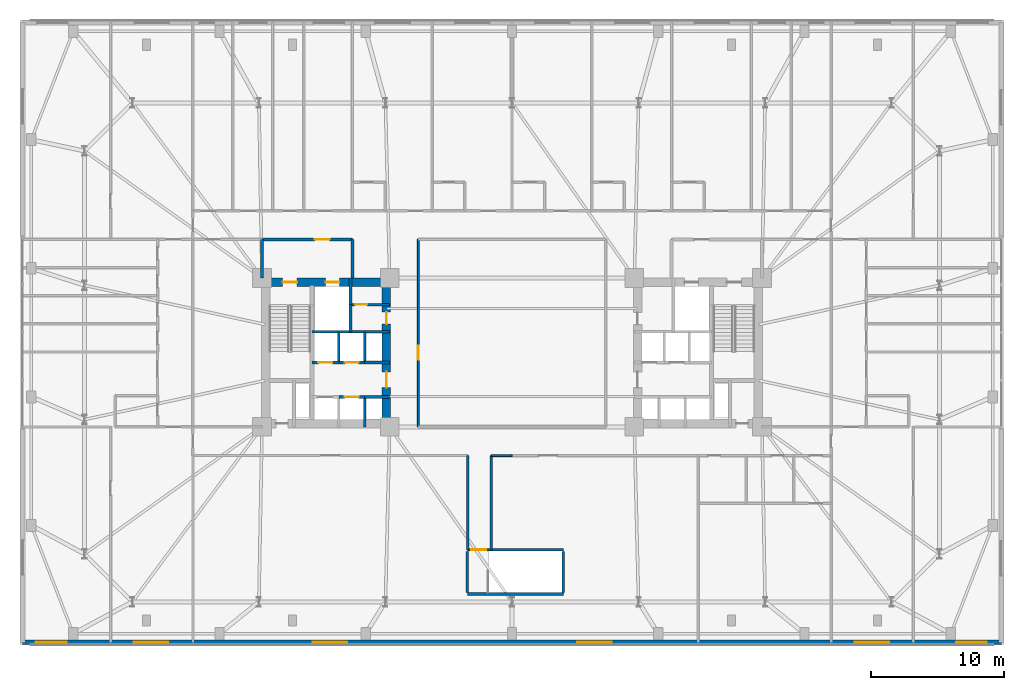
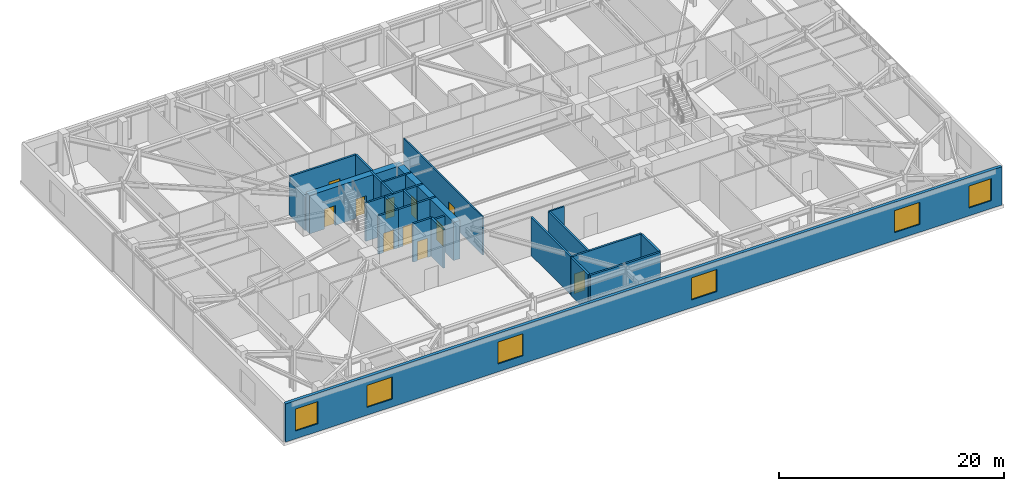
# One storey, part 12 of 21: 26 walls, 11 doors, 6 windows, 17 openings.
"""IFC4 building model written with IfcOpenShell, lengths in metres."""

from ifc_helpers import new_model, si_unit, direction, frame, frame_2d, origin, place, context, subcontext, project, spatial, rectangle, extrude, material, layer, layer_set, type_object, element, fill, save


model = new_model("IFC4")

# Units and contexts
model_context = context("Model", 3, precision=1e-05, world=origin(), true_north=direction((0.0, 1.0)))
body_context = subcontext(model_context, "Body", "Model", "MODEL_VIEW")
ifc_project = project(units=[si_unit("LENGTHUNIT", "METRE"), si_unit("AREAUNIT", "SQUARE_METRE"), si_unit("VOLUMEUNIT", "CUBIC_METRE"), si_unit("PLANEANGLEUNIT", "RADIAN"), si_unit("MASSUNIT", "GRAM", prefix="KILO")], contexts=[model_context])

# Site, building, storey
site_placement = place(None, origin())
site = spatial("IfcSite", under=ifc_project, at=site_placement, CompositionType="ELEMENT")
building_placement = place(site_placement, origin())
building = spatial("IfcBuilding", under=site, at=building_placement, Name="Qobustan Lattice House", CompositionType="ELEMENT")
storey_placement = place(building_placement, frame((0.0, 0.0, 22.5)))
storey = spatial("IfcBuildingStorey", under=building, at=storey_placement, Name="L05", CompositionType="ELEMENT", Elevation=22.5)

# Wall, openings, doors
ifc_material_1 = material(Name="Concrete C60/75", Category="concrete")
ifc_layer_1 = layer(ifc_material_1, 0.639892578125)
ifc_layer_set_1 = layer_set([ifc_layer_1], Name="Concrete C60/75")
wall_type_1 = type_object("IfcWallType", Name="WAL-CORE-640", PredefinedType="SHEAR", material=ifc_layer_set_1)
wall_1_placement = place(storey_placement, frame((-18.800048828125, 5.280029296875, 0.0), z_axis=(0.0, 0.0, 1.0), x_axis=(1.0, 0.0, 0.0)))
wall_1 = element("IfcWall", 1, at=wall_1_placement, inside=storey, type_object=wall_type_1, Name="L05 split-core shear wall CW-N", PredefinedType="SHEAR", context=body_context, shape_type="SweptSolid", body=[
    extrude(rectangle(XDim=9.60009765625, YDim=0.639892578125, at=frame_2d((4.800048828125, 0.0))), origin(), (0.0, 0.0, 1.0), 4.159912109375),
])
opening_1_placement = place(wall_1_placement, frame((1.550048828125, 0.0, 0.0)))
opening_1 = element("IfcOpeningElement", 2, at=opening_1_placement, cuts=wall_1, Name="Opening SD-01", PredefinedType="OPENING", context=body_context, shape_type="SweptSolid", body=[
    extrude(rectangle(XDim=1.10009765625, YDim=2.14990234375, at=frame_2d((0.550048828125, 1.074951171875))), frame((0.0, 0.329833984375, 0.0), z_axis=(0.0, -1.0, 0.0), x_axis=(1.0, 0.0, 0.0)), (0.0, 0.0, 1.0), 0.659912109375),
])
opening_2_placement = place(wall_1_placement, frame((4.77490234375, 0.0, 0.0)))
opening_2 = element("IfcOpeningElement", 3, at=opening_2_placement, cuts=wall_1, Name="Opening LD-01", PredefinedType="OPENING", context=body_context, shape_type="SweptSolid", body=[
    extrude(rectangle(XDim=1.050048828125, YDim=2.10009765625, at=frame_2d((0.52490234375, 1.050048828125))), frame((0.0, 0.329833984375, 0.0), z_axis=(0.0, -1.0, 0.0), x_axis=(1.0, 0.0, 0.0)), (0.0, 0.0, 1.0), 0.659912109375),
])
ifc_material_2 = material(Name="Persian walnut timber and steel frame door", Category="steel")
door_type_1 = type_object("IfcDoorType", Name="DOR-LIFT-LD-1050x2100", OperationType="NOTDEFINED", PredefinedType="DOOR", material=ifc_material_2)
door_1_placement = place(opening_2_placement, origin())
door_1 = element("IfcDoor", 4, at=door_1_placement, inside=storey, type_object=door_type_1, Name="L05 firefighting lift FF-W landing door", OperationType="DOUBLE_DOOR_SLIDING", OverallHeight=2.10009765625, OverallWidth=1.050048828125, PredefinedType="DOOR", context=body_context, shape_type="SweptSolid", body=[
    extrude(rectangle(XDim=1.050048828125, YDim=2.10009765625, at=frame_2d((0.52490234375, 1.050048828125))), frame((0.0, 0.02490234375, 0.0), z_axis=(0.0, -1.0, 0.0), x_axis=(1.0, 0.0, 0.0)), (0.0, 0.0, 1.0), 0.050048828125),
])
fill(opening_2, door_1)
ifc_material_3 = material(Name="Persian walnut timber and steel frame door", Category="steel")
door_type_2 = type_object("IfcDoorType", Name="DOR-STAIR-FD-1100x2150", OperationType="NOTDEFINED", PredefinedType="DOOR", material=ifc_material_3)
door_2_placement = place(opening_1_placement, origin())
door_2 = element("IfcDoor", 5, at=door_2_placement, inside=storey, type_object=door_type_2, Name="L05 exit stair ST-W1 fire door", OperationType="SINGLE_SWING_LEFT", OverallHeight=2.14990234375, OverallWidth=1.10009765625, PredefinedType="DOOR", context=body_context, shape_type="SweptSolid", body=[
    extrude(rectangle(XDim=1.10009765625, YDim=2.14990234375, at=frame_2d((0.550048828125, 1.074951171875))), frame((0.0, 0.02490234375, 0.0), z_axis=(0.0, -1.0, 0.0), x_axis=(1.0, 0.0, 0.0)), (0.0, 0.0, 1.0), 0.050048828125),
])
fill(opening_1, door_2)

wall_2_placement = place(storey_placement, frame((-9.449951171875, -5.050048828125, 0.0), z_axis=(0.0, 0.0, 1.0), x_axis=(0.0, 1.0, 0.0)))
wall_2 = element("IfcWall", 6, at=wall_2_placement, inside=storey, type_object=wall_type_1, Name="L05 split-core shear wall CW-E", PredefinedType="SHEAR", context=body_context, shape_type="SweptSolid", body=[
    extrude(rectangle(XDim=10.10009765625, YDim=0.639892578125, at=frame_2d((5.050048828125, 0.0))), origin(), (0.0, 0.0, 1.0), 4.159912109375),
])
opening_3_placement = place(wall_2_placement, frame((7.175048828125, 0.0, 0.0)))
opening_3 = element("IfcOpeningElement", 7, at=opening_3_placement, cuts=wall_2, Name="Opening RD-01", PredefinedType="OPENING", context=body_context, shape_type="SweptSolid", body=[
    extrude(rectangle(XDim=0.89990234375, YDim=2.10009765625, at=frame_2d((0.449951171875, 1.050048828125))), frame((0.0, 0.329833984375, 0.0), z_axis=(0.0, -1.0, 0.0), x_axis=(1.0, 0.0, 0.0)), (0.0, 0.0, 1.0), 0.659912109375),
])
opening_4_placement = place(wall_2_placement, frame((2.39990234375, 0.0, 0.0)))
opening_4 = element("IfcOpeningElement", 8, at=opening_4_placement, cuts=wall_2, Name="Opening FD-01", PredefinedType="OPENING", context=body_context, shape_type="SweptSolid", body=[
    extrude(rectangle(XDim=1.199951171875, YDim=2.14990234375, at=frame_2d((0.60009765625, 1.074951171875))), frame((0.0, 0.329833984375, 0.0), z_axis=(0.0, -1.0, 0.0), x_axis=(1.0, 0.0, 0.0)), (0.0, 0.0, 1.0), 0.659912109375),
])
ifc_material_4 = material(Name="Persian walnut timber and steel frame door", Category="steel")
door_type_3 = type_object("IfcDoorType", Name="DOR-LOBBY-FD-1200x2150", OperationType="NOTDEFINED", PredefinedType="DOOR", material=ifc_material_4)
door_3_placement = place(opening_4_placement, origin())
door_3 = element("IfcDoor", 9, at=door_3_placement, inside=storey, type_object=door_type_3, Name="L05 West passenger lift lobby fire door", OperationType="SINGLE_SWING_LEFT", OverallHeight=2.14990234375, OverallWidth=1.199951171875, PredefinedType="DOOR", context=body_context, shape_type="SweptSolid", body=[
    extrude(rectangle(XDim=1.199951171875, YDim=2.14990234375, at=frame_2d((0.60009765625, 1.074951171875))), frame((0.0, 0.02490234375, 0.0), z_axis=(0.0, -1.0, 0.0), x_axis=(1.0, 0.0, 0.0)), (0.0, 0.0, 1.0), 0.050048828125),
])
fill(opening_4, door_3)
ifc_material_5 = material(Name="Persian walnut timber and steel frame door", Category="steel")
door_type_4 = type_object("IfcDoorType", Name="DOR-RISER-FD-900x2100", OperationType="NOTDEFINED", PredefinedType="DOOR", material=ifc_material_5)
door_4_placement = place(opening_3_placement, origin())
door_4 = element("IfcDoor", 10, at=door_4_placement, inside=storey, type_object=door_type_4, Name="L05 Core utility lobby fire door", OperationType="SINGLE_SWING_RIGHT", OverallHeight=2.10009765625, OverallWidth=0.89990234375, PredefinedType="DOOR", context=body_context, shape_type="SweptSolid", body=[
    extrude(rectangle(XDim=0.89990234375, YDim=2.10009765625, at=frame_2d((0.449951171875, 1.050048828125))), frame((0.0, 0.02490234375, 0.0), z_axis=(0.0, -1.0, 0.0), x_axis=(1.0, 0.0, 0.0)), (0.0, 0.0, 1.0), 0.050048828125),
])
fill(opening_3, door_4)

# Wall, openings, windows
ifc_material_6 = material(Name="Precast concrete C40/50", Category="concrete")
ifc_layer_2 = layer(ifc_material_6, 0.320068359375)
ifc_layer_set_2 = layer_set([ifc_layer_2], Name="Precast concrete C40/50")
wall_type_2 = type_object("IfcWallType", Name="WAL-EXT-STONE-320", PredefinedType="SOLIDWALL", material=ifc_layer_set_2)
wall_3_placement = place(storey_placement, frame((36.800048828125, -21.800048828125, 0.0), z_axis=(0.0, 0.0, 1.0), x_axis=(-1.0, 0.0, 0.0)))
wall_3 = element("IfcWall", 11, at=wall_3_placement, inside=storey, type_object=wall_type_2, Name="L05 exterior limestone-clad wall 4", PredefinedType="SOLIDWALL", context=body_context, shape_type="SweptSolid", body=[
    extrude(rectangle(XDim=73.60009765625, YDim=0.320068359375, at=frame_2d((36.800048828125, 0.0))), origin(), (0.0, 0.0, 1.0), 4.159912109375),
])
opening_5_placement = place(wall_3_placement, frame((1.078857421875, 0.0, 0.85009765625)))
opening_5 = element("IfcOpeningElement", 12, at=opening_5_placement, cuts=wall_3, Name="Opening WN-16", PredefinedType="OPENING", context=body_context, shape_type="SweptSolid", body=[
    extrude(rectangle(XDim=2.300048828125, YDim=2.39990234375, at=frame_2d((1.14990234375, 1.199951171875))), frame((0.0, 0.169921875, 0.0), z_axis=(0.0, -1.0, 0.0), x_axis=(1.0, 0.0, 0.0)), (0.0, 0.0, 1.0), 0.340087890625),
])
opening_6_placement = place(wall_3_placement, frame((8.4306640625, 0.0, 0.85009765625)))
opening_6 = element("IfcOpeningElement", 13, at=opening_6_placement, cuts=wall_3, Name="Opening WN-06", PredefinedType="OPENING", context=body_context, shape_type="SweptSolid", body=[
    extrude(rectangle(XDim=2.60009765625, YDim=2.39990234375, at=frame_2d((1.300048828125, 1.199951171875))), frame((0.0, 0.169921875, 0.0), z_axis=(0.0, -1.0, 0.0), x_axis=(1.0, 0.0, 0.0)), (0.0, 0.0, 1.0), 0.340087890625),
])
opening_7_placement = place(wall_3_placement, frame((29.293212890625, 0.0, 0.85009765625)))
opening_7 = element("IfcOpeningElement", 14, at=opening_7_placement, cuts=wall_3, Name="Opening WN-06", PredefinedType="OPENING", context=body_context, shape_type="SweptSolid", body=[
    extrude(rectangle(XDim=2.60009765625, YDim=2.39990234375, at=frame_2d((1.300048828125, 1.199951171875))), frame((0.0, 0.169921875, 0.0), z_axis=(0.0, -1.0, 0.0), x_axis=(1.0, 0.0, 0.0)), (0.0, 0.0, 1.0), 0.340087890625),
])
opening_8_placement = place(wall_3_placement, frame((49.19482421875, 0.0, 0.85009765625)))
opening_8 = element("IfcOpeningElement", 15, at=opening_8_placement, cuts=wall_3, Name="Opening WN-06", PredefinedType="OPENING", context=body_context, shape_type="SweptSolid", body=[
    extrude(rectangle(XDim=2.60009765625, YDim=2.39990234375, at=frame_2d((1.300048828125, 1.199951171875))), frame((0.0, 0.169921875, 0.0), z_axis=(0.0, -1.0, 0.0), x_axis=(1.0, 0.0, 0.0)), (0.0, 0.0, 1.0), 0.340087890625),
])
opening_9_placement = place(wall_3_placement, frame((62.6494140625, 0.0, 0.85009765625)))
opening_9 = element("IfcOpeningElement", 16, at=opening_9_placement, cuts=wall_3, Name="Opening WN-06", PredefinedType="OPENING", context=body_context, shape_type="SweptSolid", body=[
    extrude(rectangle(XDim=2.60009765625, YDim=2.39990234375, at=frame_2d((1.300048828125, 1.199951171875))), frame((0.0, 0.169921875, 0.0), z_axis=(0.0, -1.0, 0.0), x_axis=(1.0, 0.0, 0.0)), (0.0, 0.0, 1.0), 0.340087890625),
])
opening_10_placement = place(wall_3_placement, frame((70.30126953125, 0.0, 0.85009765625)))
opening_10 = element("IfcOpeningElement", 17, at=opening_10_placement, cuts=wall_3, Name="Opening WN-16", PredefinedType="OPENING", context=body_context, shape_type="SweptSolid", body=[
    extrude(rectangle(XDim=2.300048828125, YDim=2.39990234375, at=frame_2d((1.14990234375, 1.199951171875))), frame((0.0, 0.169921875, 0.0), z_axis=(0.0, -1.0, 0.0), x_axis=(1.0, 0.0, 0.0)), (0.0, 0.0, 1.0), 0.340087890625),
])
ifc_material_7 = material(Name="Double-glazed low-E aluminium window", Category="aluminium")
window_type_1 = type_object("IfcWindowType", Name="WIN-POD-2300x2400", PartitioningType="SINGLE_PANEL", PredefinedType="WINDOW", material=ifc_material_7)
window_1_placement = place(opening_5_placement, origin())
window_1 = element("IfcWindow", 18, at=window_1_placement, inside=storey, type_object=window_type_1, Name="L05 Collaborative study room L05ES window", OverallHeight=2.39990234375, OverallWidth=2.300048828125, PartitioningType="SINGLE_PANEL", PredefinedType="WINDOW", context=body_context, shape_type="SweptSolid", body=[
    extrude(rectangle(XDim=2.300048828125, YDim=2.39990234375, at=frame_2d((1.14990234375, 1.199951171875))), frame((0.0, 0.030029296875, 0.0), z_axis=(0.0, -1.0, 0.0), x_axis=(1.0, 0.0, 0.0)), (0.0, 0.0, 1.0), 0.06005859375),
])
fill(opening_5, window_1)
window_2_placement = place(opening_10_placement, origin())
window_2 = element("IfcWindow", 19, at=window_2_placement, inside=storey, type_object=window_type_1, Name="L05 Collaborative study room L05WS window", OverallHeight=2.39990234375, OverallWidth=2.300048828125, PartitioningType="SINGLE_PANEL", PredefinedType="WINDOW", context=body_context, shape_type="SweptSolid", body=[
    extrude(rectangle(XDim=2.300048828125, YDim=2.39990234375, at=frame_2d((1.14990234375, 1.199951171875))), frame((0.0, 0.030029296875, 0.0), z_axis=(0.0, -1.0, 0.0), x_axis=(1.0, 0.0, 0.0)), (0.0, 0.0, 1.0), 0.06005859375),
])
fill(opening_10, window_2)
ifc_material_8 = material(Name="Double-glazed low-E aluminium window", Category="aluminium")
window_type_2 = type_object("IfcWindowType", Name="WIN-POD-2600x2400", PartitioningType="SINGLE_PANEL", PredefinedType="WINDOW", material=ifc_material_8)
window_3_placement = place(opening_6_placement, origin())
window_3 = element("IfcWindow", 20, at=window_3_placement, inside=storey, type_object=window_type_2, Name="L05 Reading seminar room L05ES window", OverallHeight=2.39990234375, OverallWidth=2.60009765625, PartitioningType="SINGLE_PANEL", PredefinedType="WINDOW", context=body_context, shape_type="SweptSolid", body=[
    extrude(rectangle(XDim=2.60009765625, YDim=2.39990234375, at=frame_2d((1.300048828125, 1.199951171875))), frame((0.0, 0.030029296875, 0.0), z_axis=(0.0, -1.0, 0.0), x_axis=(1.0, 0.0, 0.0)), (0.0, 0.0, 1.0), 0.06005859375),
])
fill(opening_6, window_3)
window_4_placement = place(opening_7_placement, origin())
window_4 = element("IfcWindow", 21, at=window_4_placement, inside=storey, type_object=window_type_2, Name="L05 Pre-show ticket lounge window", OverallHeight=2.39990234375, OverallWidth=2.60009765625, PartitioningType="SINGLE_PANEL", PredefinedType="WINDOW", context=body_context, shape_type="SweptSolid", body=[
    extrude(rectangle(XDim=2.60009765625, YDim=2.39990234375, at=frame_2d((1.300048828125, 1.199951171875))), frame((0.0, 0.030029296875, 0.0), z_axis=(0.0, -1.0, 0.0), x_axis=(1.0, 0.0, 0.0)), (0.0, 0.0, 1.0), 0.06005859375),
])
fill(opening_7, window_4)
window_5_placement = place(opening_8_placement, origin())
window_5 = element("IfcWindow", 22, at=window_5_placement, inside=storey, type_object=window_type_2, Name="L05 Observatory pre-show exhibition gallery window", OverallHeight=2.39990234375, OverallWidth=2.60009765625, PartitioningType="SINGLE_PANEL", PredefinedType="WINDOW", context=body_context, shape_type="SweptSolid", body=[
    extrude(rectangle(XDim=2.60009765625, YDim=2.39990234375, at=frame_2d((1.300048828125, 1.199951171875))), frame((0.0, 0.030029296875, 0.0), z_axis=(0.0, -1.0, 0.0), x_axis=(1.0, 0.0, 0.0)), (0.0, 0.0, 1.0), 0.06005859375),
])
fill(opening_8, window_5)
window_6_placement = place(opening_9_placement, origin())
window_6 = element("IfcWindow", 23, at=window_6_placement, inside=storey, type_object=window_type_2, Name="L05 Reading seminar room L05WS window", OverallHeight=2.39990234375, OverallWidth=2.60009765625, PartitioningType="SINGLE_PANEL", PredefinedType="WINDOW", context=body_context, shape_type="SweptSolid", body=[
    extrude(rectangle(XDim=2.60009765625, YDim=2.39990234375, at=frame_2d((1.300048828125, 1.199951171875))), frame((0.0, 0.030029296875, 0.0), z_axis=(0.0, -1.0, 0.0), x_axis=(1.0, 0.0, 0.0)), (0.0, 0.0, 1.0), 0.06005859375),
])
fill(opening_9, window_6)

# Wall, opening, door
ifc_material_9 = material(Name="Gypsum fireboard acoustic partition", Category="gypsum")
ifc_layer_3 = layer(ifc_material_9, 0.179931640625)
ifc_layer_set_3 = layer_set([ifc_layer_3], Name="Gypsum fireboard acoustic partition")
wall_type_3 = type_object("IfcWallType", Name="WAL-FIRE-180", PredefinedType="PARTITIONING", material=ifc_layer_set_3)
wall_4_placement = place(storey_placement, frame((-9.199951171875, 3.60009765625, 0.0), z_axis=(0.0, 0.0, 1.0), x_axis=(-1.0, 0.0, 0.0)))
wall_4 = element("IfcWall", 24, at=wall_4_placement, inside=storey, type_object=wall_type_3, Name="L05 interior partition 7", PredefinedType="PARTITIONING", context=body_context, shape_type="SweptSolid", body=[
    extrude(rectangle(XDim=2.949951171875, YDim=0.179931640625, at=frame_2d((1.47509765625, 0.0))), origin(), (0.0, 0.0, 1.0), 4.159912109375),
])
opening_11_placement = place(wall_4_placement, frame((1.699951171875, 0.0, 0.0)))
opening_11 = element("IfcOpeningElement", 25, at=opening_11_placement, cuts=wall_4, Name="Opening RD-01", PredefinedType="OPENING", context=body_context, shape_type="SweptSolid", body=[
    extrude(rectangle(XDim=0.89990234375, YDim=2.10009765625, at=frame_2d((0.449951171875, 1.050048828125))), frame((0.0, 0.099853515625, 0.0), z_axis=(0.0, -1.0, 0.0), x_axis=(1.0, 0.0, 0.0)), (0.0, 0.0, 1.0), 0.199951171875),
])
door_5_placement = place(opening_11_placement, origin())
door_5 = element("IfcDoor", 26, at=door_5_placement, inside=storey, type_object=door_type_4, Name="L05 Core utility lobby to Cleaner store door", OperationType="SINGLE_SWING_LEFT", OverallHeight=2.10009765625, OverallWidth=0.89990234375, PredefinedType="DOOR", context=body_context, shape_type="SweptSolid", body=[
    extrude(rectangle(XDim=0.89990234375, YDim=2.10009765625, at=frame_2d((0.449951171875, 1.050048828125))), frame((0.0, 0.02490234375, 0.0), z_axis=(0.0, -1.0, 0.0), x_axis=(1.0, 0.0, 0.0)), (0.0, 0.0, 1.0), 0.050048828125),
])
fill(opening_11, door_5)

# Walls
for number, where, z_axis, x_axis, name in (
    (27, (-3.320068359375, -14.860107421875, 0.0), (0.0, 0.0, 1.0), (0.0, 1.0, 0.0), "L05 interior partition 73"),
    (28, (-1.550048828125, -7.75, 0.0), (0.0, 0.0, 1.0), (0.0, -1.0, 0.0), "L05 interior partition 74"),
):
    element("IfcWall", number, at=place(storey_placement, frame(where, z_axis=z_axis, x_axis=x_axis)), inside=storey, type_object=wall_type_3, Name=name, PredefinedType="PARTITIONING", context=body_context, shape_type="SweptSolid", body=[
        extrude(rectangle(XDim=7.110107421875, YDim=0.179931640625, at=frame_2d((3.55517578125, 0.0))), origin(), (0.0, 0.0, 1.0), 4.159912109375),
    ])
ifc_material_10 = material(Name="Acoustic twin-stud gypsum partition", Category="gypsum")
ifc_layer_4 = layer(ifc_material_10, 0.14990234375)
ifc_layer_set_4 = layer_set([ifc_layer_4], Name="Acoustic twin-stud gypsum partition")
wall_type_4 = type_object("IfcWallType", Name="WAL-PART-150", PredefinedType="PARTITIONING", material=ifc_layer_set_4)
wall_5_placement = place(storey_placement, frame((0.0, -7.75, 0.0), z_axis=(0.0, 0.0, 1.0), x_axis=(-1.0, 0.0, 0.0)))
element("IfcWall", 29, at=wall_5_placement, inside=storey, type_object=wall_type_4, Name="L05 interior partition 62", PredefinedType="PARTITIONING", context=body_context, shape_type="SweptSolid", body=[
    extrude(rectangle(XDim=1.550048828125, YDim=0.14990234375, at=frame_2d((0.77490234375, 0.0))), origin(), (0.0, 0.0, 1.0), 4.159912109375),
])

# Wall, opening, door
wall_6_placement = place(storey_placement, frame((-7.050048828125, 8.5, 0.0), z_axis=(0.0, 0.0, 1.0), x_axis=(0.0, -1.0, 0.0)))
wall_6 = element("IfcWall", 30, at=wall_6_placement, inside=storey, type_object=wall_type_4, Name="L05 interior partition 71", PredefinedType="PARTITIONING", context=body_context, shape_type="SweptSolid", body=[
    extrude(rectangle(XDim=14.10009765625, YDim=0.14990234375, at=frame_2d((7.050048828125, 0.0))), origin(), (0.0, 0.0, 1.0), 4.159912109375),
])
opening_12_placement = place(wall_6_placement, frame((8.01123046875, 0.0, 0.0)))
opening_12 = element("IfcOpeningElement", 31, at=opening_12_placement, cuts=wall_6, Name="Opening ID-02", PredefinedType="OPENING", context=body_context, shape_type="SweptSolid", body=[
    extrude(rectangle(XDim=1.050048828125, YDim=2.14990234375, at=frame_2d((0.52490234375, 1.074951171875))), frame((0.0, 0.0849609375, 0.0), z_axis=(0.0, -1.0, 0.0), x_axis=(1.0, 0.0, 0.0)), (0.0, 0.0, 1.0), 0.169921875),
])
ifc_material_11 = material(Name="Persian walnut timber and steel frame door", Category="steel")
door_type_5 = type_object("IfcDoorType", Name="DOR-STUDY-1050x2150", OperationType="NOTDEFINED", PredefinedType="DOOR", material=ifc_material_11)
door_6_placement = place(opening_12_placement, origin())
door_6 = element("IfcDoor", 32, at=door_6_placement, inside=storey, type_object=door_type_5, Name="L05 West podium link corridor to Absheron reading salon door", OperationType="SINGLE_SWING_LEFT", OverallHeight=2.14990234375, OverallWidth=1.050048828125, PredefinedType="DOOR", context=body_context, shape_type="SweptSolid", body=[
    extrude(rectangle(XDim=1.050048828125, YDim=2.14990234375, at=frame_2d((0.52490234375, 1.074951171875))), frame((0.0, 0.02490234375, 0.0), z_axis=(0.0, -1.0, 0.0), x_axis=(1.0, 0.0, 0.0)), (0.0, 0.0, 1.0), 0.050048828125),
])
fill(opening_12, door_6)

ifc_material_12 = material(Name="Two-hour gypsum fireboard acoustic partition", Category="gypsum")
ifc_layer_5 = layer(ifc_material_12, 0.199951171875)
ifc_layer_set_5 = layer_set([ifc_layer_5], Name="Two-hour gypsum fireboard acoustic partition")
wall_type_5 = type_object("IfcWallType", Name="WAL-PROT-200", PredefinedType="PARTITIONING", material=ifc_layer_set_5)
wall_7_placement = place(storey_placement, frame((-12.0, 8.5, 0.0), z_axis=(0.0, 0.0, 1.0), x_axis=(-1.0, 0.0, 0.0)))
wall_7 = element("IfcWall", 33, at=wall_7_placement, inside=storey, type_object=wall_type_5, Name="L05 interior partition 4", PredefinedType="PARTITIONING", context=body_context, shape_type="SweptSolid", body=[
    extrude(rectangle(XDim=6.800048828125, YDim=0.199951171875, at=frame_2d((3.39990234375, 0.0))), origin(), (0.0, 0.0, 1.0), 4.159912109375),
])
opening_13_placement = place(wall_7_placement, frame((1.715087890625, 0.0, 0.0)))
opening_13 = element("IfcOpeningElement", 34, at=opening_13_placement, cuts=wall_7, Name="Opening SD-01", PredefinedType="OPENING", context=body_context, shape_type="SweptSolid", body=[
    extrude(rectangle(XDim=1.10009765625, YDim=2.14990234375, at=frame_2d((0.550048828125, 1.074951171875))), frame((0.0, 0.10986328125, 0.0), z_axis=(0.0, -1.0, 0.0), x_axis=(1.0, 0.0, 0.0)), (0.0, 0.0, 1.0), 0.219970703125),
])
door_7_placement = place(opening_13_placement, origin())
door_7 = element("IfcDoor", 35, at=door_7_placement, inside=storey, type_object=door_type_2, Name="L05 West firefighting lift lobby to North-west podium corridor door", OperationType="SINGLE_SWING_RIGHT", OverallHeight=2.14990234375, OverallWidth=1.10009765625, PredefinedType="DOOR", context=body_context, shape_type="SweptSolid", body=[
    extrude(rectangle(XDim=1.10009765625, YDim=2.14990234375, at=frame_2d((0.550048828125, 1.074951171875))), frame((0.0, 0.02490234375, 0.0), z_axis=(0.0, -1.0, 0.0), x_axis=(1.0, 0.0, 0.0)), (0.0, 0.0, 1.0), 0.050048828125),
])
fill(opening_13, door_7)

# Walls
wall_8_placement = place(storey_placement, frame((-12.0, 5.60009765625, 0.0), z_axis=(0.0, 0.0, 1.0), x_axis=(0.0, 1.0, 0.0)))
element("IfcWall", 36, at=wall_8_placement, inside=storey, type_object=wall_type_5, Name="L05 interior partition 5", PredefinedType="PARTITIONING", context=body_context, shape_type="SweptSolid", body=[
    extrude(rectangle(XDim=2.89990234375, YDim=0.199951171875, at=frame_2d((1.449951171875, 0.0))), origin(), (0.0, 0.0, 1.0), 4.159912109375),
])
wall_9_placement = place(storey_placement, frame((-18.800048828125, 8.5, 0.0), z_axis=(0.0, 0.0, 1.0), x_axis=(0.0, -1.0, 0.0)))
element("IfcWall", 37, at=wall_9_placement, inside=storey, type_object=wall_type_5, Name="L05 interior partition 6", PredefinedType="PARTITIONING", context=body_context, shape_type="SweptSolid", body=[
    extrude(rectangle(XDim=2.89990234375, YDim=0.199951171875, at=frame_2d((1.449951171875, 0.0))), origin(), (0.0, 0.0, 1.0), 3.64501953125),
])
ifc_material_13 = material(Name="Concrete C40/50", Category="concrete")
ifc_layer_6 = layer(ifc_material_13, 0.199951171875)
ifc_layer_set_6 = layer_set([ifc_layer_6], Name="Concrete C40/50")
wall_type_6 = type_object("IfcWallType", Name="WAL-SHAFT-200", PredefinedType="PARTITIONING", material=ifc_layer_set_6)
wall_10_placement = place(storey_placement, frame((-12.14990234375, 1.550048828125, 0.0), z_axis=(0.0, 0.0, 1.0), x_axis=(0.0, 1.0, 0.0)))
element("IfcWall", 38, at=wall_10_placement, inside=storey, type_object=wall_type_6, Name="L05 interior partition 2", PredefinedType="PARTITIONING", context=body_context, shape_type="SweptSolid", body=[
    extrude(rectangle(XDim=2.050048828125, YDim=0.199951171875, at=frame_2d((1.02490234375, 0.0))), origin(), (0.0, 0.0, 1.0), 4.159912109375),
])
wall_11_placement = place(storey_placement, frame((-12.14990234375, 3.60009765625, 0.0), z_axis=(0.0, 0.0, 1.0), x_axis=(0.0, 1.0, 0.0)))
element("IfcWall", 39, at=wall_11_placement, inside=storey, type_object=wall_type_6, Name="L05 interior partition 3", PredefinedType="PARTITIONING", context=body_context, shape_type="SweptSolid", body=[
    extrude(rectangle(XDim=2.0, YDim=0.199951171875, at=frame_2d((1.0, 0.0))), origin(), (0.0, 0.0, 1.0), 4.159912109375),
])

# Wall, opening, door
wall_12_placement = place(storey_placement, frame((-13.02001953125, -3.35009765625, 0.0), z_axis=(0.0, 0.0, 1.0), x_axis=(1.0, 0.0, 0.0)))
wall_12 = element("IfcWall", 40, at=wall_12_placement, inside=storey, type_object=wall_type_6, Name="L05 interior partition 10", PredefinedType="PARTITIONING", context=body_context, shape_type="SweptSolid", body=[
    extrude(rectangle(XDim=1.93994140625, YDim=0.199951171875, at=frame_2d((0.969970703125, 0.0))), origin(), (0.0, 0.0, 1.0), 4.159912109375),
])
opening_14_placement = place(wall_12_placement, frame((0.445068359375, 0.0, 0.0)))
opening_14 = element("IfcOpeningElement", 41, at=opening_14_placement, cuts=wall_12, Name="Opening LD-01", PredefinedType="OPENING", context=body_context, shape_type="SweptSolid", body=[
    extrude(rectangle(XDim=1.050048828125, YDim=2.10009765625, at=frame_2d((0.52490234375, 1.050048828125))), frame((0.0, 0.10986328125, 0.0), z_axis=(0.0, -1.0, 0.0), x_axis=(1.0, 0.0, 0.0)), (0.0, 0.0, 1.0), 0.219970703125),
])
door_8_placement = place(opening_14_placement, origin())
door_8 = element("IfcDoor", 42, at=door_8_placement, inside=storey, type_object=door_type_1, Name="L05 lift landing door", OperationType="DOUBLE_DOOR_SLIDING", OverallHeight=2.10009765625, OverallWidth=1.050048828125, PredefinedType="DOOR", context=body_context, shape_type="SweptSolid", body=[
    extrude(rectangle(XDim=1.050048828125, YDim=2.10009765625, at=frame_2d((0.52490234375, 1.050048828125))), frame((0.0, 0.02490234375, 0.0), z_axis=(0.0, -1.0, 0.0), x_axis=(1.0, 0.0, 0.0)), (0.0, 0.0, 1.0), 0.050048828125),
])
fill(opening_14, door_8)

# Wall
wall_13_placement = place(storey_placement, frame((-11.080078125, -3.35009765625, 0.0), z_axis=(0.0, 0.0, 1.0), x_axis=(1.0, 0.0, 0.0)))
element("IfcWall", 43, at=wall_13_placement, inside=storey, type_object=wall_type_6, Name="L05 interior partition 11", PredefinedType="PARTITIONING", context=body_context, shape_type="SweptSolid", body=[
    extrude(rectangle(XDim=1.880126953125, YDim=0.199951171875, at=frame_2d((0.93994140625, 0.0))), origin(), (0.0, 0.0, 1.0), 3.875),
])

# Wall, opening, door
wall_14_placement = place(storey_placement, frame((-13.02001953125, -0.75, 0.0), z_axis=(0.0, 0.0, 1.0), x_axis=(-1.0, 0.0, 0.0)))
wall_14 = element("IfcWall", 44, at=wall_14_placement, inside=storey, type_object=wall_type_6, Name="L05 interior partition 12", PredefinedType="PARTITIONING", context=body_context, shape_type="SweptSolid", body=[
    extrude(rectangle(XDim=2.030029296875, YDim=0.199951171875, at=frame_2d((1.01513671875, 0.0))), origin(), (0.0, 0.0, 1.0), 4.159912109375),
])
opening_15_placement = place(wall_14_placement, frame((0.489990234375, 0.0, 0.0)))
opening_15 = element("IfcOpeningElement", 45, at=opening_15_placement, cuts=wall_14, Name="Opening LD-01", PredefinedType="OPENING", context=body_context, shape_type="SweptSolid", body=[
    extrude(rectangle(XDim=1.050048828125, YDim=2.10009765625, at=frame_2d((0.52490234375, 1.050048828125))), frame((0.0, 0.10986328125, 0.0), z_axis=(0.0, -1.0, 0.0), x_axis=(1.0, 0.0, 0.0)), (0.0, 0.0, 1.0), 0.219970703125),
])
door_9_placement = place(opening_15_placement, origin())
door_9 = element("IfcDoor", 46, at=door_9_placement, inside=storey, type_object=door_type_1, Name="L05 lift landing door", OperationType="DOUBLE_DOOR_SLIDING", OverallHeight=2.10009765625, OverallWidth=1.050048828125, PredefinedType="DOOR", context=body_context, shape_type="SweptSolid", body=[
    extrude(rectangle(XDim=1.050048828125, YDim=2.10009765625, at=frame_2d((0.52490234375, 1.050048828125))), frame((0.0, 0.02490234375, 0.0), z_axis=(0.0, -1.0, 0.0), x_axis=(1.0, 0.0, 0.0)), (0.0, 0.0, 1.0), 0.050048828125),
])
fill(opening_15, door_9)

wall_15_placement = place(storey_placement, frame((-11.080078125, -0.75, 0.0), z_axis=(0.0, 0.0, 1.0), x_axis=(-1.0, 0.0, 0.0)))
wall_15 = element("IfcWall", 47, at=wall_15_placement, inside=storey, type_object=wall_type_6, Name="L05 interior partition 13", PredefinedType="PARTITIONING", context=body_context, shape_type="SweptSolid", body=[
    extrude(rectangle(XDim=1.93994140625, YDim=0.199951171875, at=frame_2d((0.969970703125, 0.0))), origin(), (0.0, 0.0, 1.0), 4.159912109375),
])
opening_16_placement = place(wall_15_placement, frame((0.445068359375, 0.0, 0.0)))
opening_16 = element("IfcOpeningElement", 48, at=opening_16_placement, cuts=wall_15, Name="Opening LD-01", PredefinedType="OPENING", context=body_context, shape_type="SweptSolid", body=[
    extrude(rectangle(XDim=1.050048828125, YDim=2.10009765625, at=frame_2d((0.52490234375, 1.050048828125))), frame((0.0, 0.10986328125, 0.0), z_axis=(0.0, -1.0, 0.0), x_axis=(1.0, 0.0, 0.0)), (0.0, 0.0, 1.0), 0.219970703125),
])
door_10_placement = place(opening_16_placement, origin())
door_10 = element("IfcDoor", 49, at=door_10_placement, inside=storey, type_object=door_type_1, Name="L05 lift landing door", OperationType="DOUBLE_DOOR_SLIDING", OverallHeight=2.10009765625, OverallWidth=1.050048828125, PredefinedType="DOOR", context=body_context, shape_type="SweptSolid", body=[
    extrude(rectangle(XDim=1.050048828125, YDim=2.10009765625, at=frame_2d((0.52490234375, 1.050048828125))), frame((0.0, 0.02490234375, 0.0), z_axis=(0.0, -1.0, 0.0), x_axis=(1.0, 0.0, 0.0)), (0.0, 0.0, 1.0), 0.050048828125),
])
fill(opening_16, door_10)

# Walls
wall_16_placement = place(storey_placement, frame((-9.199951171875, -0.75, 0.0), z_axis=(0.0, 0.0, 1.0), x_axis=(-1.0, 0.0, 0.0)))
element("IfcWall", 50, at=wall_16_placement, inside=storey, type_object=wall_type_6, Name="L05 interior partition 14", PredefinedType="PARTITIONING", context=body_context, shape_type="SweptSolid", body=[
    extrude(rectangle(XDim=1.880126953125, YDim=0.199951171875, at=frame_2d((0.93994140625, 0.0))), origin(), (0.0, 0.0, 1.0), 4.159912109375),
])
wall_17_placement = place(storey_placement, frame((-11.080078125, -5.60009765625, 0.0), z_axis=(0.0, 0.0, 1.0), x_axis=(0.0, 1.0, 0.0)))
element("IfcWall", 51, at=wall_17_placement, inside=storey, type_object=wall_type_6, Name="L05 interior partition 17", PredefinedType="PARTITIONING", context=body_context, shape_type="SweptSolid", body=[
    extrude(rectangle(XDim=2.25, YDim=0.199951171875, at=frame_2d((1.125, 0.0))), origin(), (0.0, 0.0, 1.0), 4.159912109375),
])
for number, where, z_axis, x_axis, name in (
    (52, (-13.02001953125, -0.75, 0.0), (0.0, 0.0, 1.0), (0.0, 1.0, 0.0), "L05 interior partition 18"),
    (53, (-11.080078125, -0.75, 0.0), (0.0, 0.0, 1.0), (0.0, 1.0, 0.0), "L05 interior partition 19"),
):
    element("IfcWall", number, at=place(storey_placement, frame(where, z_axis=z_axis, x_axis=x_axis)), inside=storey, type_object=wall_type_6, Name=name, PredefinedType="PARTITIONING", context=body_context, shape_type="SweptSolid", body=[
        extrude(rectangle(XDim=2.300048828125, YDim=0.199951171875, at=frame_2d((1.14990234375, 0.0))), origin(), (0.0, 0.0, 1.0), 4.159912109375),
    ])
wall_18_placement = place(storey_placement, frame((-15.050048828125, 1.550048828125, 0.0), z_axis=(0.0, 0.0, 1.0), x_axis=(1.0, 0.0, 0.0)))
element("IfcWall", 54, at=wall_18_placement, inside=storey, type_object=wall_type_6, Name="L05 interior partition 154", PredefinedType="PARTITIONING", context=body_context, shape_type="SweptSolid", body=[
    extrude(rectangle(XDim=5.85009765625, YDim=0.199951171875, at=frame_2d((2.925048828125, 0.0))), origin(), (0.0, 0.0, 1.0), 4.159912109375),
])

# Wall, opening, door
ifc_material_14 = material(Name="Concrete C40/50", Category="concrete")
ifc_layer_7 = layer(ifc_material_14, 0.199951171875)
ifc_layer_set_7 = layer_set([ifc_layer_7], Name="Concrete C40/50")
wall_type_7 = type_object("IfcWallType", Name="WAL-SHAFT-LB-200", PredefinedType="SHEAR", material=ifc_layer_set_7)
wall_19_placement = place(storey_placement, frame((-3.360107421875, -14.840087890625, 0.0), z_axis=(0.0, 0.0, 1.0), x_axis=(1.0, 0.0, 0.0)))
wall_19 = element("IfcWall", 55, at=wall_19_placement, inside=storey, type_object=wall_type_7, Name="L05 podium stair ST-P1 RC shaft wall STP-N", PredefinedType="SHEAR", context=body_context, shape_type="SweptSolid", body=[
    extrude(rectangle(XDim=7.22021484375, YDim=0.199951171875, at=frame_2d((3.610107421875, 0.0))), origin(), (0.0, 0.0, 1.0), 4.159912109375),
])
opening_17_placement = place(wall_19_placement, frame((0.31005859375, 0.0, 0.0)))
opening_17 = element("IfcOpeningElement", 56, at=opening_17_placement, cuts=wall_19, Name="Opening SD-01", PredefinedType="OPENING", context=body_context, shape_type="SweptSolid", body=[
    extrude(rectangle(XDim=1.10009765625, YDim=2.14990234375, at=frame_2d((0.550048828125, 1.074951171875))), frame((0.0, 0.10986328125, 0.0), z_axis=(0.0, -1.0, 0.0), x_axis=(1.0, 0.0, 0.0)), (0.0, 0.0, 1.0), 0.219970703125),
])
door_11_placement = place(opening_17_placement, origin())
door_11 = element("IfcDoor", 57, at=door_11_placement, inside=storey, type_object=door_type_2, Name="L05 podium stair ST-P1 fire door", OperationType="SINGLE_SWING_LEFT", OverallHeight=2.14990234375, OverallWidth=1.10009765625, PredefinedType="DOOR", context=body_context, shape_type="SweptSolid", body=[
    extrude(rectangle(XDim=1.10009765625, YDim=2.14990234375, at=frame_2d((0.550048828125, 1.074951171875))), frame((0.0, 0.02490234375, 0.0), z_axis=(0.0, -1.0, 0.0), x_axis=(1.0, 0.0, 0.0)), (0.0, 0.0, 1.0), 0.050048828125),
])
fill(opening_17, door_11)

# Walls
wall_20_placement = place(storey_placement, frame((-3.360107421875, -18.159912109375, 0.0), z_axis=(0.0, 0.0, 1.0), x_axis=(1.0, 0.0, 0.0)))
element("IfcWall", 58, at=wall_20_placement, inside=storey, type_object=wall_type_7, Name="L05 podium stair ST-P1 RC shaft wall STP-S", PredefinedType="SHEAR", context=body_context, shape_type="SweptSolid", body=[
    extrude(rectangle(XDim=7.22021484375, YDim=0.199951171875, at=frame_2d((3.610107421875, 0.0))), origin(), (0.0, 0.0, 1.0), 4.159912109375),
])
for number, where, z_axis, x_axis, name in (
    (59, (-3.360107421875, -18.0400390625, 0.0), (0.0, 0.0, 1.0), (0.0, 1.0, 0.0), "L05 podium stair ST-P1 RC shaft wall STP-W"),
    (60, (3.860107421875, -18.0400390625, 0.0), (0.0, 0.0, 1.0), (0.0, 1.0, 0.0), "L05 podium stair ST-P1 RC shaft wall STP-E"),
):
    element("IfcWall", number, at=place(storey_placement, frame(where, z_axis=z_axis, x_axis=x_axis)), inside=storey, type_object=wall_type_7, Name=name, PredefinedType="SHEAR", context=body_context, shape_type="SweptSolid", body=[
        extrude(rectangle(XDim=3.080078125, YDim=0.199951171875, at=frame_2d((1.5400390625, 0.0))), origin(), (0.0, 0.0, 1.0), 4.159912109375),
    ])

save(model, "model.ifc")
